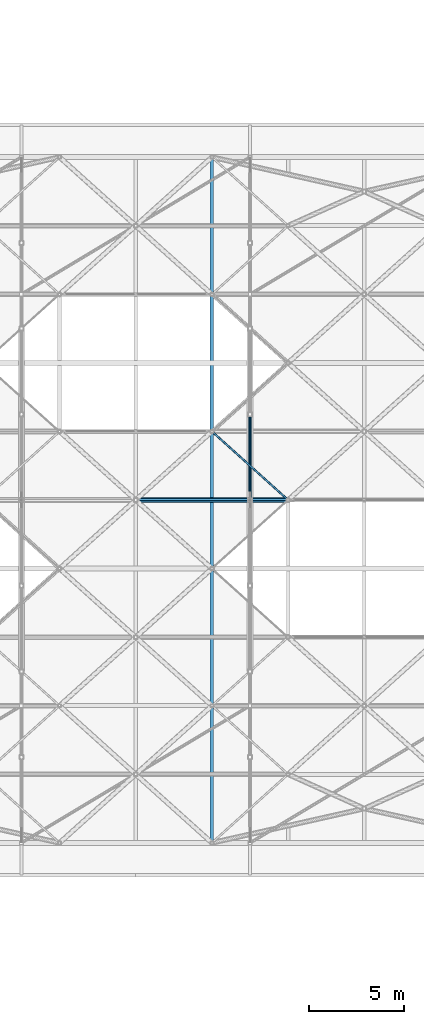
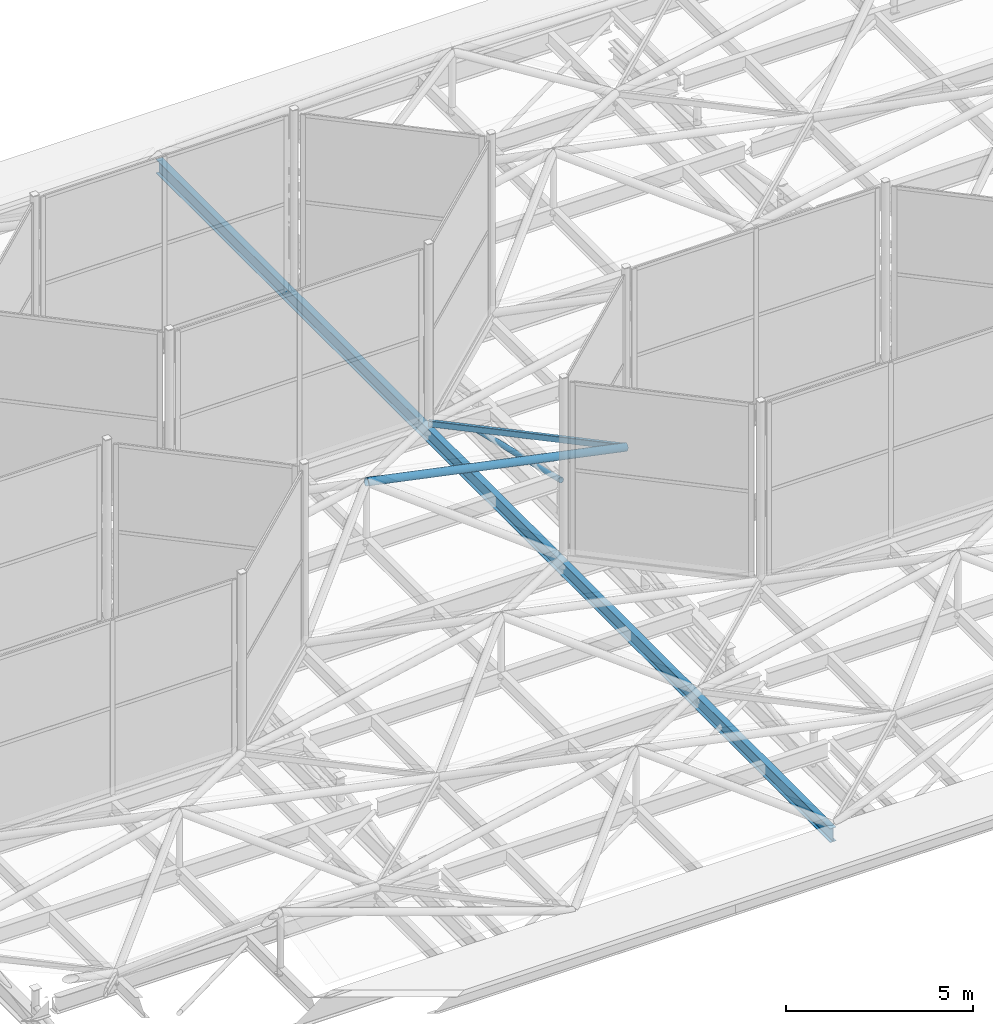
# One storey, part 115 of 239: 2 beams, 2 members.
"""IFC4 building model written with IfcOpenShell, lengths in metres."""

from ifc_helpers import new_model, si_unit, direction, frame, origin, origin_2d, place, context, subcontext, project, spatial, hollow_rectangle, hollow_circle, i_section, extrude, material, material_profile, profile_set, type_object, element, save


model = new_model("IFC4")

# Units and contexts
model_context = context("Model", 3, precision=1e-05, world=origin(), true_north=direction((0.0, 1.0)))
body_context = subcontext(model_context, "Body", "Model", "MODEL_VIEW")
ifc_project = project(units=[si_unit("LENGTHUNIT", "METRE"), si_unit("AREAUNIT", "SQUARE_METRE"), si_unit("VOLUMEUNIT", "CUBIC_METRE"), si_unit("PLANEANGLEUNIT", "RADIAN"), si_unit("MASSUNIT", "GRAM", prefix="KILO")], contexts=[model_context])

# Site, building, storey
site_placement = place(None, origin())
site = spatial("IfcSite", under=ifc_project, at=site_placement, CompositionType="ELEMENT")
building_placement = place(site_placement, origin())
building = spatial("IfcBuilding", under=site, at=building_placement, Name="Dunvalen Ferry Terminal", CompositionType="ELEMENT")
storey_placement = place(building_placement, frame((0.0, 0.0, 9.840087890625)))
storey = spatial("IfcBuildingStorey", under=building, at=storey_placement, Name="L02", CompositionType="ELEMENT", Elevation=9.840087890625)

# Beams
ifc_material = material(Name="Steel S355", Category="steel")
ifc_material_profile_1 = material_profile(ifc_material, hollow_rectangle(XDim=0.10009765625, YDim=0.199951171875, WallThickness=0.008056640625, InnerFilletRadius=0.008056640625, OuterFilletRadius=0.01611328125, at=origin_2d()), Name="Steel S355")
ifc_profile_set_1 = profile_set([ifc_material_profile_1], Name="Steel S355")
beam_type_1 = type_object("IfcBeamType", Name="STR-BM-RHS200", PredefinedType="BEAM", material=ifc_profile_set_1)
beam_1_placement = place(storey_placement, frame((74.0, 68.39990234375, 1.099853515625), z_axis=(-0.743285123004, 0.668974757313, 0.0), x_axis=(-0.668974757313, -0.743285123004, 0.0)))
element("IfcBeam", 1, at=beam_1_placement, inside=storey, type_object=beam_type_1, Name="HEX-31 Hexagonal Rim Beam 4", PredefinedType="BEAM", context=body_context, shape_type="SweptSolid", body=[
    extrude(hollow_rectangle(XDim=0.10009765625, YDim=0.199951171875, WallThickness=0.008056640625, InnerFilletRadius=0.008056640625, OuterFilletRadius=0.01611328125, at=origin_2d()), origin(), (0.0, 0.0, 1.0), 5.381591796875),
])
ifc_material_profile_2 = material_profile(ifc_material, i_section(OverallWidth=0.1904296875, OverallDepth=0.45703125, WebThickness=0.009033203125, FlangeThickness=0.014404296875, FilletRadius=0.01025390625, at=origin_2d()), Name="Steel S355")
ifc_profile_set_2 = profile_set([ifc_material_profile_2], Name="Steel S355")
beam_type_2 = type_object("IfcBeamType", Name="STR-BM-UKB457", PredefinedType="BEAM", material=ifc_profile_set_2)
beam_2_placement = place(storey_placement, frame((70.0, 50.39990234375, 0.771484375), z_axis=(0.0, 1.0, 0.0), x_axis=(-1.0, 0.0, 0.0)))
element("IfcBeam", 2, at=beam_2_placement, inside=storey, type_object=beam_type_2, Name="Departure Hall Hex-Grid Cross Beam B5.3", PredefinedType="BEAM", context=body_context, shape_type="SweptSolid", body=[
    extrude(i_section(OverallWidth=0.1904296875, OverallDepth=0.45703125, WebThickness=0.009033203125, FlangeThickness=0.014404296875, FilletRadius=0.01025390625, at=origin_2d()), origin(), (0.0, 0.0, 1.0), 36.0),
])

# Members
ifc_material_profile_3 = material_profile(ifc_material, hollow_circle(Radius=0.084228515625, WallThickness=0.008056640625, at=origin_2d()), Name="Steel S355")
ifc_profile_set_3 = profile_set([ifc_material_profile_3], Name="Steel S355")
member_type_1 = type_object("IfcMemberType", Name="STR-MB-CHS168", PredefinedType="BRACE", material=ifc_profile_set_3)
member_1_placement = place(storey_placement, frame((72.0, 68.39990234375, 0.719970703125), z_axis=(0.0, 0.972383470914, -0.233388914677), x_axis=(-1.0, 0.0, 0.0)))
element("IfcMember", 3, at=member_1_placement, inside=storey, type_object=member_type_1, Name="Departure Hall Arch Web Diagonal 06.5", PredefinedType="BRACE", context=body_context, shape_type="SweptSolid", body=[
    extrude(hollow_circle(Radius=0.084228515625, WallThickness=0.008056640625, at=origin_2d()), origin(), (0.0, 0.0, 1.0), 4.627685546875),
])
ifc_material_profile_4 = material_profile(ifc_material, hollow_circle(Radius=0.122314453125, WallThickness=0.010009765625, at=origin_2d()), Name="Steel S355")
ifc_profile_set_4 = profile_set([ifc_material_profile_4], Name="Steel S355")
member_type_2 = type_object("IfcMemberType", Name="STR-MB-CHS244", PredefinedType="STRUT", material=ifc_profile_set_4)
member_2_placement = place(storey_placement, frame((74.0, 68.39990234375, 1.099853515625), z_axis=(-0.979020171275, 0.0, 0.203763353518), x_axis=(0.0, -1.0, 0.0)))
element("IfcMember", 4, at=member_2_placement, inside=storey, type_object=member_type_2, Name="HEX-31 Pyramid Hip Rafter 4", PredefinedType="STRUT", context=body_context, shape_type="SweptSolid", body=[
    extrude(hollow_circle(Radius=0.122314453125, WallThickness=0.010009765625, at=origin_2d()), origin(), (0.0, 0.0, 1.0), 8.17138671875),
])

save(model, "model.ifc")
